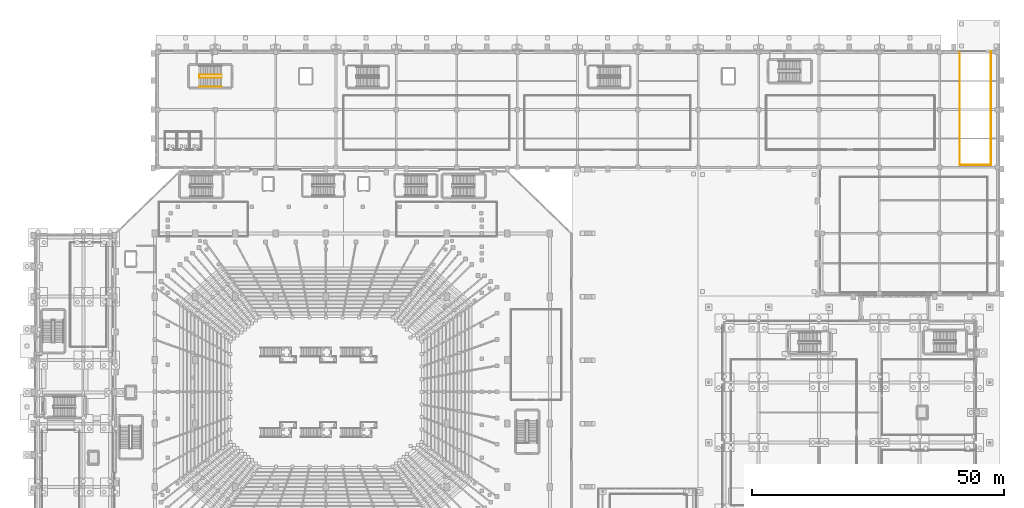
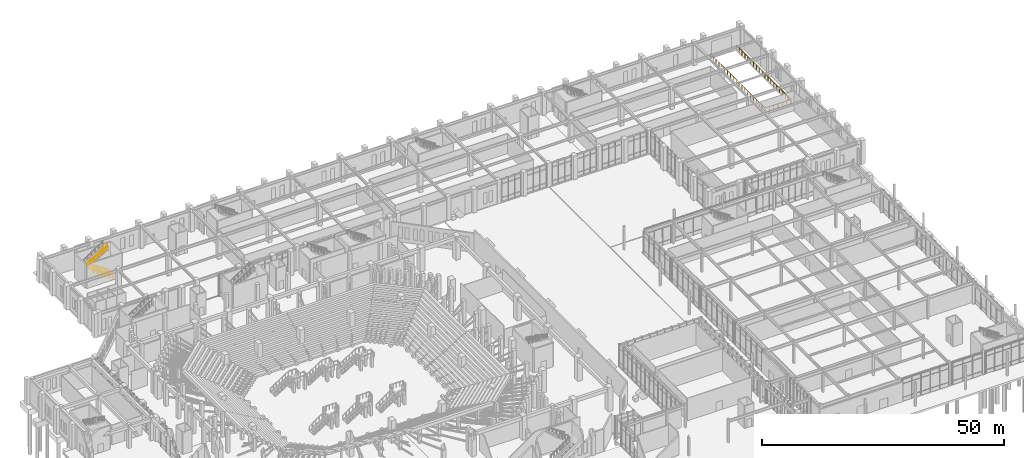
# One storey, part 139 of 143: 3 railings.
"""IFC4 building model written with IfcOpenShell, lengths in metres."""

from ifc_helpers import new_model, si_unit, derived_unit, direction, frame, origin, origin_2d, place, context, subcontext, project, spatial, circle, extrude, material, type_object, element, save


model = new_model("IFC4")

# Units and contexts
model_context = context("Model", 3, precision=1e-05, world=origin(), true_north=direction((0.0, 1.0)))
body_context = subcontext(model_context, "Body", "Model", "MODEL_VIEW")
ifc_project = project(units=[si_unit("LENGTHUNIT", "METRE"), si_unit("AREAUNIT", "SQUARE_METRE"), si_unit("VOLUMEUNIT", "CUBIC_METRE"), si_unit("PLANEANGLEUNIT", "RADIAN"), si_unit("MASSUNIT", "GRAM", prefix="KILO"), derived_unit("THERMALTRANSMITTANCEUNIT", [(si_unit("MASSUNIT", "GRAM", prefix="KILO"), 1), (si_unit("TIMEUNIT", "SECOND"), -3), (si_unit("THERMODYNAMICTEMPERATUREUNIT", "KELVIN"), -1)])], contexts=[model_context])

# Site, building, storey
site_placement = place(None, origin())
site = spatial("IfcSite", under=ifc_project, at=site_placement, CompositionType="ELEMENT")
building_placement = place(site_placement, origin())
building = spatial("IfcBuilding", under=site, at=building_placement, Name="Valcora Ridge Arena", CompositionType="ELEMENT")
storey_placement = place(building_placement, origin())
storey = spatial("IfcBuildingStorey", under=building, at=storey_placement, Name="L00", CompositionType="ELEMENT", Elevation=0.0)

# Railings
ifc_material = material(Name="Galvanized painted steel ASTM A500 Grade B", Category="steel")
railing_type_1 = type_object("IfcRailingType", Name="TY-RAILING-GRD-STAIR-1120", PredefinedType="GUARDRAIL", material=ifc_material)
railing_1_placement = place(storey_placement, frame((37.2900390625, 126.5, 0.0)))
element("IfcRailing", 1, at=railing_1_placement, inside=storey, type_object=railing_type_1, Name="GRD-STAIR-1120 RAL-SG-0075", PredefinedType="GUARDRAIL", context=body_context, shape_type="SweptSolid", body=[
    extrude(circle(Radius=0.02392578125, at=origin_2d()), frame((0.0, 0.0, 1.09619140625), z_axis=(-0.830906055479, 0.0, 0.556412730775), x_axis=(0.0, -1.0, 0.0)), (0.0, 0.0, 1.0), 5.3916015625),
    extrude(circle(Radius=0.02392578125, at=origin_2d()), frame((-4.47998046875, 0.0, 4.09619140625), z_axis=(0.0, 1.0, 0.0), x_axis=(-1.0, 0.0, 0.0)), (0.0, 0.0, 1.0), 0.60009765625),
    extrude(circle(Radius=0.02392578125, at=origin_2d()), frame((-4.47998046875, 0.60009765625, 4.09619140625), z_axis=(0.830906055479, 0.0, 0.556412730775), x_axis=(0.0, 1.0, 0.0)), (0.0, 0.0, 1.0), 5.3916015625),
    extrude(circle(Radius=0.02099609375, at=origin_2d()), origin(), (0.0, 0.0, 1.0), 1.072021484375),
    extrude(circle(Radius=0.02099609375, at=origin_2d()), frame((-0.74658203125, 0.0, 0.5)), (0.0, 0.0, 1.0), 1.072021484375),
    extrude(circle(Radius=0.02099609375, at=origin_2d()), frame((-1.493408203125, 0.0, 1.0)), (0.0, 0.0, 1.0), 1.072021484375),
    extrude(circle(Radius=0.02099609375, at=origin_2d()), frame((-2.239990234375, 0.0, 1.5)), (0.0, 0.0, 1.0), 1.072021484375),
    extrude(circle(Radius=0.02099609375, at=origin_2d()), frame((-2.986572265625, 0.0, 2.0)), (0.0, 0.0, 1.0), 1.072021484375),
    extrude(circle(Radius=0.02099609375, at=origin_2d()), frame((-3.7333984375, 0.0, 2.5)), (0.0, 0.0, 1.0), 1.072021484375),
    extrude(circle(Radius=0.02099609375, at=origin_2d()), frame((-4.47998046875, 0.0, 3.0)), (0.0, 0.0, 1.0), 1.072021484375),
    extrude(circle(Radius=0.02099609375, at=origin_2d()), frame((-4.47998046875, 0.60009765625, 3.0)), (0.0, 0.0, 1.0), 1.072021484375),
    extrude(circle(Radius=0.02099609375, at=origin_2d()), frame((-3.7333984375, 0.60009765625, 3.5)), (0.0, 0.0, 1.0), 1.072021484375),
    extrude(circle(Radius=0.02099609375, at=origin_2d()), frame((-2.986572265625, 0.60009765625, 4.0)), (0.0, 0.0, 1.0), 1.072021484375),
    extrude(circle(Radius=0.02099609375, at=origin_2d()), frame((-2.239990234375, 0.60009765625, 4.5)), (0.0, 0.0, 1.0), 1.072021484375),
    extrude(circle(Radius=0.02099609375, at=origin_2d()), frame((-1.493408203125, 0.60009765625, 5.0)), (0.0, 0.0, 1.0), 1.072021484375),
    extrude(circle(Radius=0.02099609375, at=origin_2d()), frame((-0.74658203125, 0.60009765625, 5.5)), (0.0, 0.0, 1.0), 1.072021484375),
    extrude(circle(Radius=0.02099609375, at=origin_2d()), frame((0.0, 0.60009765625, 6.0)), (0.0, 0.0, 1.0), 1.072021484375),
])
railing_type_2 = type_object("IfcRailingType", Name="TY-RAILING-GRD-VOID-1120", PredefinedType="GUARDRAIL", material=ifc_material)
railing_2_placement = place(storey_placement, frame((184.0, 131.800048828125, 0.0)))
element("IfcRailing", 2, at=railing_2_placement, inside=storey, type_object=railing_type_2, Name="GRD-VOID-1120 RAL-DK-0018", PredefinedType="GUARDRAIL", context=body_context, shape_type="SweptSolid", body=[
    extrude(circle(Radius=0.02392578125, at=origin_2d()), frame((0.0, 0.0, 1.09619140625), z_axis=(0.0, -1.0, 0.0), x_axis=(1.0, 0.0, 0.0)), (0.0, 0.0, 1.0), 22.60009765625),
    extrude(circle(Radius=0.02392578125, at=origin_2d()), frame((0.0, -22.60009765625, 1.09619140625), z_axis=(1.0, 0.0, 0.0), x_axis=(0.0, 1.0, 0.0)), (0.0, 0.0, 1.0), 6.199951171875),
    extrude(circle(Radius=0.02392578125, at=origin_2d()), frame((6.199951171875, -22.60009765625, 1.09619140625), z_axis=(0.0, 1.0, 0.0), x_axis=(-1.0, 0.0, 0.0)), (0.0, 0.0, 1.0), 22.60009765625),
    extrude(circle(Radius=0.02099609375, at=origin_2d()), origin(), (0.0, 0.0, 1.0), 1.072021484375),
    extrude(circle(Radius=0.02099609375, at=origin_2d()), frame((0.0, -1.189453125, 0.0)), (0.0, 0.0, 1.0), 1.072021484375),
    extrude(circle(Radius=0.02099609375, at=origin_2d()), frame((0.0, -2.37890625, 0.0)), (0.0, 0.0, 1.0), 1.072021484375),
    extrude(circle(Radius=0.02099609375, at=origin_2d()), frame((0.0, -3.568359375, 0.0)), (0.0, 0.0, 1.0), 1.072021484375),
    extrude(circle(Radius=0.02099609375, at=origin_2d()), frame((0.0, -4.7578125, 0.0)), (0.0, 0.0, 1.0), 1.072021484375),
    extrude(circle(Radius=0.02099609375, at=origin_2d()), frame((0.0, -5.947509765625, 0.0)), (0.0, 0.0, 1.0), 1.072021484375),
    extrude(circle(Radius=0.02099609375, at=origin_2d()), frame((0.0, -7.136962890625, 0.0)), (0.0, 0.0, 1.0), 1.072021484375),
    extrude(circle(Radius=0.02099609375, at=origin_2d()), frame((0.0, -8.326416015625, 0.0)), (0.0, 0.0, 1.0), 1.072021484375),
    extrude(circle(Radius=0.02099609375, at=origin_2d()), frame((0.0, -9.515869140625, 0.0)), (0.0, 0.0, 1.0), 1.072021484375),
    extrude(circle(Radius=0.02099609375, at=origin_2d()), frame((0.0, -10.705322265625, 0.0)), (0.0, 0.0, 1.0), 1.072021484375),
    extrude(circle(Radius=0.02099609375, at=origin_2d()), frame((0.0, -11.894775390625, 0.0)), (0.0, 0.0, 1.0), 1.072021484375),
    extrude(circle(Radius=0.02099609375, at=origin_2d()), frame((0.0, -13.084228515625, 0.0)), (0.0, 0.0, 1.0), 1.072021484375),
    extrude(circle(Radius=0.02099609375, at=origin_2d()), frame((0.0, -14.273681640625, 0.0)), (0.0, 0.0, 1.0), 1.072021484375),
    extrude(circle(Radius=0.02099609375, at=origin_2d()), frame((0.0, -15.463134765625, 0.0)), (0.0, 0.0, 1.0), 1.072021484375),
    extrude(circle(Radius=0.02099609375, at=origin_2d()), frame((0.0, -16.652587890625, 0.0)), (0.0, 0.0, 1.0), 1.072021484375),
    extrude(circle(Radius=0.02099609375, at=origin_2d()), frame((0.0, -17.84228515625, 0.0)), (0.0, 0.0, 1.0), 1.072021484375),
    extrude(circle(Radius=0.02099609375, at=origin_2d()), frame((0.0, -19.03173828125, 0.0)), (0.0, 0.0, 1.0), 1.072021484375),
    extrude(circle(Radius=0.02099609375, at=origin_2d()), frame((0.0, -20.22119140625, 0.0)), (0.0, 0.0, 1.0), 1.072021484375),
    extrude(circle(Radius=0.02099609375, at=origin_2d()), frame((0.0, -21.41064453125, 0.0)), (0.0, 0.0, 1.0), 1.072021484375),
    extrude(circle(Radius=0.02099609375, at=origin_2d()), frame((0.0, -22.60009765625, 0.0)), (0.0, 0.0, 1.0), 1.072021484375),
    extrude(circle(Radius=0.02099609375, at=origin_2d()), frame((1.033203125, -22.60009765625, 0.0)), (0.0, 0.0, 1.0), 1.072021484375),
    extrude(circle(Radius=0.02099609375, at=origin_2d()), frame((2.066650390625, -22.60009765625, 0.0)), (0.0, 0.0, 1.0), 1.072021484375),
    extrude(circle(Radius=0.02099609375, at=origin_2d()), frame((3.10009765625, -22.60009765625, 0.0)), (0.0, 0.0, 1.0), 1.072021484375),
    extrude(circle(Radius=0.02099609375, at=origin_2d()), frame((4.13330078125, -22.60009765625, 0.0)), (0.0, 0.0, 1.0), 1.072021484375),
    extrude(circle(Radius=0.02099609375, at=origin_2d()), frame((5.16650390625, -22.60009765625, 0.0)), (0.0, 0.0, 1.0), 1.072021484375),
    extrude(circle(Radius=0.02099609375, at=origin_2d()), frame((6.199951171875, -22.60009765625, 0.0)), (0.0, 0.0, 1.0), 1.072021484375),
    extrude(circle(Radius=0.02099609375, at=origin_2d()), frame((6.199951171875, -21.41064453125, 0.0)), (0.0, 0.0, 1.0), 1.072021484375),
    extrude(circle(Radius=0.02099609375, at=origin_2d()), frame((6.199951171875, -20.22119140625, 0.0)), (0.0, 0.0, 1.0), 1.072021484375),
    extrude(circle(Radius=0.02099609375, at=origin_2d()), frame((6.199951171875, -19.03173828125, 0.0)), (0.0, 0.0, 1.0), 1.072021484375),
    extrude(circle(Radius=0.02099609375, at=origin_2d()), frame((6.199951171875, -17.84228515625, 0.0)), (0.0, 0.0, 1.0), 1.072021484375),
    extrude(circle(Radius=0.02099609375, at=origin_2d()), frame((6.199951171875, -16.652587890625, 0.0)), (0.0, 0.0, 1.0), 1.072021484375),
    extrude(circle(Radius=0.02099609375, at=origin_2d()), frame((6.199951171875, -15.463134765625, 0.0)), (0.0, 0.0, 1.0), 1.072021484375),
    extrude(circle(Radius=0.02099609375, at=origin_2d()), frame((6.199951171875, -14.273681640625, 0.0)), (0.0, 0.0, 1.0), 1.072021484375),
    extrude(circle(Radius=0.02099609375, at=origin_2d()), frame((6.199951171875, -13.084228515625, 0.0)), (0.0, 0.0, 1.0), 1.072021484375),
    extrude(circle(Radius=0.02099609375, at=origin_2d()), frame((6.199951171875, -11.894775390625, 0.0)), (0.0, 0.0, 1.0), 1.072021484375),
    extrude(circle(Radius=0.02099609375, at=origin_2d()), frame((6.199951171875, -10.705322265625, 0.0)), (0.0, 0.0, 1.0), 1.072021484375),
    extrude(circle(Radius=0.02099609375, at=origin_2d()), frame((6.199951171875, -9.515869140625, 0.0)), (0.0, 0.0, 1.0), 1.072021484375),
    extrude(circle(Radius=0.02099609375, at=origin_2d()), frame((6.199951171875, -8.326416015625, 0.0)), (0.0, 0.0, 1.0), 1.072021484375),
    extrude(circle(Radius=0.02099609375, at=origin_2d()), frame((6.199951171875, -7.136962890625, 0.0)), (0.0, 0.0, 1.0), 1.072021484375),
    extrude(circle(Radius=0.02099609375, at=origin_2d()), frame((6.199951171875, -5.947509765625, 0.0)), (0.0, 0.0, 1.0), 1.072021484375),
    extrude(circle(Radius=0.02099609375, at=origin_2d()), frame((6.199951171875, -4.7578125, 0.0)), (0.0, 0.0, 1.0), 1.072021484375),
    extrude(circle(Radius=0.02099609375, at=origin_2d()), frame((6.199951171875, -3.568359375, 0.0)), (0.0, 0.0, 1.0), 1.072021484375),
    extrude(circle(Radius=0.02099609375, at=origin_2d()), frame((6.199951171875, -2.37890625, 0.0)), (0.0, 0.0, 1.0), 1.072021484375),
    extrude(circle(Radius=0.02099609375, at=origin_2d()), frame((6.199951171875, -1.189453125, 0.0)), (0.0, 0.0, 1.0), 1.072021484375),
    extrude(circle(Radius=0.02099609375, at=origin_2d()), frame((6.199951171875, 0.0, 0.0)), (0.0, 0.0, 1.0), 1.072021484375),
])
railing_type_3 = type_object("IfcRailingType", Name="TY-RAILING-HR-STAIR-900", PredefinedType="HANDRAIL", material=ifc_material)
railing_3_placement = place(storey_placement, frame((37.2900390625, 124.739990234375, 0.0)))
element("IfcRailing", 3, at=railing_3_placement, inside=storey, type_object=railing_type_3, Name="HR-STAIR-900 RAL-SH-0075", PredefinedType="HANDRAIL", context=body_context, shape_type="SweptSolid", body=[
    extrude(circle(Radius=0.02392578125, at=origin_2d()), frame((0.0, 0.0, 0.8759765625), z_axis=(-0.830906055479, 0.0, 0.556412730775), x_axis=(0.0, -1.0, 0.0)), (0.0, 0.0, 1.0), 5.3916015625),
    extrude(circle(Radius=0.02099609375, at=origin_2d()), origin(), (0.0, 0.0, 1.0), 0.851806640625),
    extrude(circle(Radius=0.02099609375, at=origin_2d()), frame((-0.89599609375, 0.0, 0.60009765625)), (0.0, 0.0, 1.0), 0.851806640625),
    extrude(circle(Radius=0.02099609375, at=origin_2d()), frame((-1.7919921875, 0.0, 1.199951171875)), (0.0, 0.0, 1.0), 0.851806640625),
    extrude(circle(Radius=0.02099609375, at=origin_2d()), frame((-2.68798828125, 0.0, 1.800048828125)), (0.0, 0.0, 1.0), 0.851806640625),
    extrude(circle(Radius=0.02099609375, at=origin_2d()), frame((-3.583984375, 0.0, 2.39990234375)), (0.0, 0.0, 1.0), 0.851806640625),
    extrude(circle(Radius=0.02099609375, at=origin_2d()), frame((-4.47998046875, 0.0, 3.0)), (0.0, 0.0, 1.0), 0.851806640625),
])

save(model, "model.ifc")
